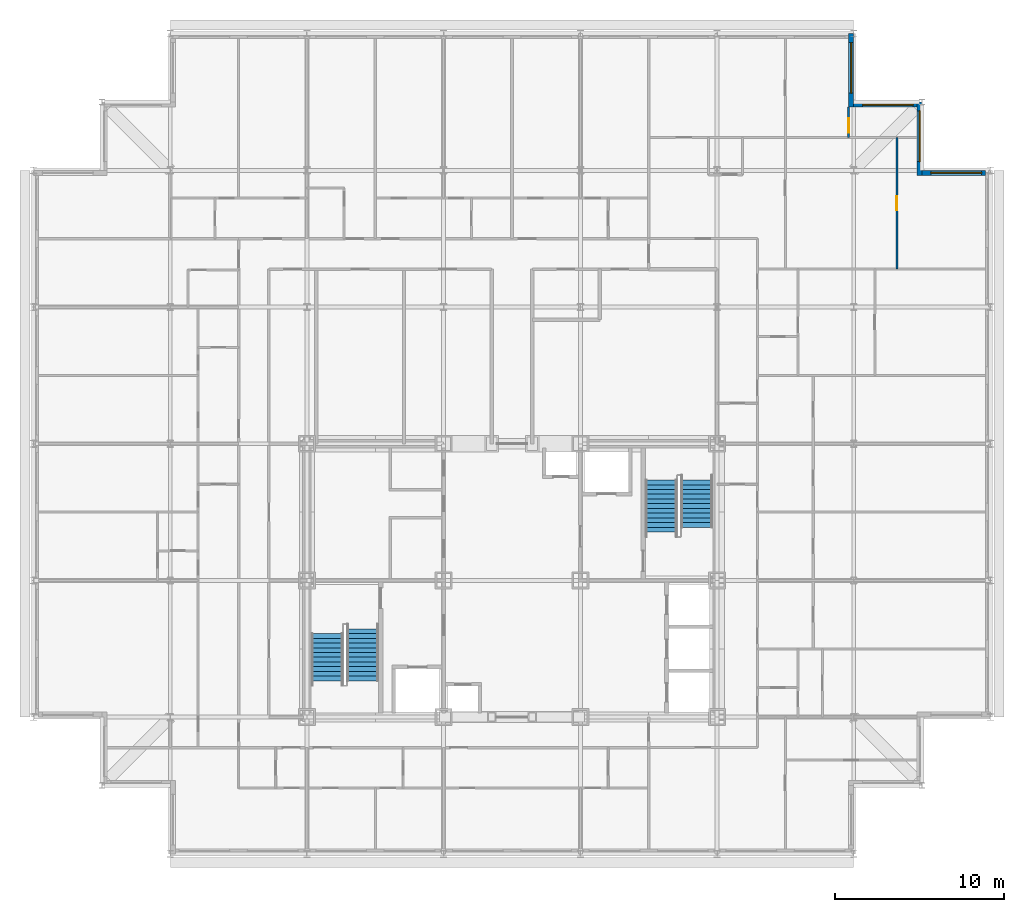
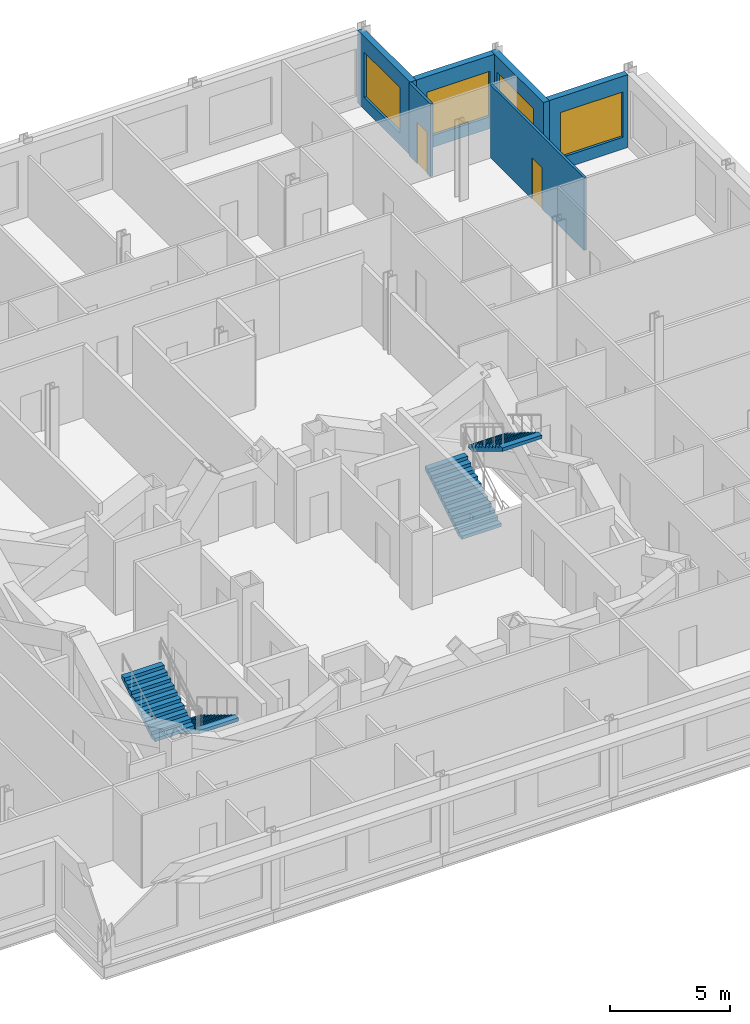
# One storey, part 14 of 15: 6 walls, 4 stair flights, 4 windows, 2 doors, 6 openings, 2 elements without a shape of their own.
"""IFC4 building model written with IfcOpenShell, lengths in metres."""

from ifc_helpers import new_model, si_unit, direction, frame, frame_2d, origin, place, context, subcontext, project, spatial, rectangle, extrude, polygons, source, transform, mapped, material, layer, layer_set, type_object, element, fill, aggregate, save


model = new_model("IFC4")

# Units and contexts
model_context = context("Model", 3, precision=1e-05, world=origin(), true_north=direction((0.0, 1.0)))
body_context = subcontext(model_context, "Body", "Model", "MODEL_VIEW")
ifc_project = project(units=[si_unit("LENGTHUNIT", "METRE"), si_unit("AREAUNIT", "SQUARE_METRE"), si_unit("VOLUMEUNIT", "CUBIC_METRE"), si_unit("PLANEANGLEUNIT", "RADIAN"), si_unit("MASSUNIT", "GRAM", prefix="KILO")], contexts=[model_context])

# Site, building, storey
site_placement = place(None, origin())
site = spatial("IfcSite", under=ifc_project, at=site_placement, CompositionType="ELEMENT")
building_placement = place(site_placement, origin())
building = spatial("IfcBuilding", under=site, at=building_placement, Name="Kopane Lantern Tower", CompositionType="ELEMENT")
storey_placement = place(building_placement, frame((0.0, 0.0, 269.699951171875)))
storey = spatial("IfcBuildingStorey", under=building, at=storey_placement, Name="L69", CompositionType="ELEMENT", Elevation=269.699951171875)

# Wall, opening, door
ifc_material_1 = material(Name="Gypsum board on steel studs", Category="steel")
ifc_layer_1 = layer(ifc_material_1, 0.1201171875)
ifc_layer_set_1 = layer_set([ifc_layer_1], Name="APARTMENT INTERNAL WALL 120")
wall_type_1 = type_object("IfcWallType", Name="APARTMENT INTERNAL WALL 120", PredefinedType="PARTITIONING", material=ifc_layer_set_1)
wall_1_placement = place(storey_placement, frame((48.300048828125, 58.64990234375, 0.0), z_axis=(0.0, 0.0, 1.0), x_axis=(0.0, 1.0, 0.0)))
wall_1 = element("IfcWall", 1, at=wall_1_placement, inside=storey, type_object=wall_type_1, Name="Apartment Internal Wall 120 L69", PredefinedType="PARTITIONING", context=body_context, shape_type="SweptSolid", body=[
    extrude(rectangle(XDim=1.800048828125, YDim=0.1201171875, at=frame_2d((0.89990234375, 0.0))), origin(), (0.0, 0.0, 1.0), 3.68994140625),
])
opening_1_placement = place(wall_1_placement, frame((0.27490234375, 0.0, 0.0)))
opening_1 = element("IfcOpeningElement", 2, at=opening_1_placement, cuts=wall_1, Name="Opening L69-065", PredefinedType="OPENING", context=body_context, shape_type="SweptSolid", body=[
    extrude(rectangle(XDim=0.85009765625, YDim=2.10009765625, at=frame_2d((0.425048828125, 1.050048828125))), frame((0.0, 0.070068359375, 0.0), z_axis=(0.0, -1.0, 0.0), x_axis=(1.0, 0.0, 0.0)), (0.0, 0.0, 1.0), 0.14013671875),
])
ifc_material_2 = material(Name="Timber door set", Category="wood")
door_type = type_object("IfcDoorType", Name="DOOR D4 850x2100", OperationType="SINGLE_SWING_LEFT", PredefinedType="DOOR", material=ifc_material_2)
door_1_placement = place(opening_1_placement, origin())
door_1 = element("IfcDoor", 3, at=door_1_placement, inside=storey, type_object=door_type, Name="Door L69-065", OperationType="SINGLE_SWING_RIGHT", OverallHeight=2.10009765625, OverallWidth=0.85009765625, PredefinedType="DOOR", context=body_context, shape_type="SweptSolid", body=[
    extrude(rectangle(XDim=0.85009765625, YDim=2.10009765625, at=frame_2d((0.425048828125, 1.050048828125))), frame((0.0, 0.02490234375, 0.0), z_axis=(0.0, -1.0, 0.0), x_axis=(1.0, 0.0, 0.0)), (0.0, 0.0, 1.0), 0.050048828125),
])
fill(opening_1, door_1)

wall_2_placement = place(storey_placement, frame((51.14990234375, 50.85009765625, 0.0), z_axis=(0.0, 0.0, 1.0), x_axis=(0.0, 1.0, 0.0)))
wall_2 = element("IfcWall", 4, at=wall_2_placement, inside=storey, type_object=wall_type_1, Name="Apartment Internal Wall 120 L69", PredefinedType="PARTITIONING", context=body_context, shape_type="SweptSolid", body=[
    extrude(rectangle(XDim=7.7998046875, YDim=0.1201171875, at=frame_2d((3.89990234375, 0.0))), origin(), (0.0, 0.0, 1.0), 3.68994140625),
])
opening_2_placement = place(wall_2_placement, frame((3.47509765625, 0.0, 0.0)))
opening_2 = element("IfcOpeningElement", 5, at=opening_2_placement, cuts=wall_2, Name="Opening L69-072", PredefinedType="OPENING", context=body_context, shape_type="SweptSolid", body=[
    extrude(rectangle(XDim=0.85009765625, YDim=2.10009765625, at=frame_2d((0.425048828125, 1.050048828125))), frame((0.0, 0.070068359375, 0.0), z_axis=(0.0, -1.0, 0.0), x_axis=(1.0, 0.0, 0.0)), (0.0, 0.0, 1.0), 0.14013671875),
])
door_2_placement = place(opening_2_placement, origin())
door_2 = element("IfcDoor", 6, at=door_2_placement, inside=storey, type_object=door_type, Name="Door L69-072", OperationType="SINGLE_SWING_RIGHT", OverallHeight=2.10009765625, OverallWidth=0.85009765625, PredefinedType="DOOR", context=body_context, shape_type="SweptSolid", body=[
    extrude(rectangle(XDim=0.85009765625, YDim=2.10009765625, at=frame_2d((0.425048828125, 1.050048828125))), frame((0.0, 0.02490234375, 0.0), z_axis=(0.0, -1.0, 0.0), x_axis=(1.0, 0.0, 0.0)), (0.0, 0.0, 1.0), 0.050048828125),
])
fill(opening_2, door_2)

# Wall, opening, window
ifc_material_3 = material(Name="Terracotta rainscreen on light steel framing", Category="masonry")
ifc_layer_2 = layer(ifc_material_3, 0.300048828125)
ifc_layer_set_2 = layer_set([ifc_layer_2], Name="EXTERNAL WALL EW1 300 TERRACOTTA")
wall_type_2 = type_object("IfcWallType", Name="EXTERNAL WALL EW1 300 TERRACOTTA", PredefinedType="SOLIDWALL", material=ifc_layer_set_2)
wall_3_placement = place(storey_placement, frame((56.39990234375, 56.550048828125, 0.0), z_axis=(0.0, 0.0, 1.0), x_axis=(-1.0, 0.0, 0.0)))
wall_3 = element("IfcWall", 7, at=wall_3_placement, inside=storey, type_object=wall_type_2, Name="External wall N L69", PredefinedType="SOLIDWALL", context=body_context, shape_type="SweptSolid", body=[
    extrude(rectangle(XDim=3.75, YDim=0.300048828125, at=frame_2d((1.875, 0.0))), origin(), (0.0, 0.0, 1.0), 3.68994140625),
])
opening_3_placement = place(wall_3_placement, frame((0.22509765625, 0.0, 0.60009765625)))
opening_3 = element("IfcOpeningElement", 8, at=opening_3_placement, cuts=wall_3, Name="Opening WR300230", PredefinedType="OPENING", context=body_context, shape_type="SweptSolid", body=[
    extrude(rectangle(XDim=3.0, YDim=2.300048828125, at=frame_2d((1.5, 1.14990234375))), frame((0.0, 0.159912109375, 0.0), z_axis=(0.0, -1.0, 0.0), x_axis=(1.0, 0.0, 0.0)), (0.0, 0.0, 1.0), 0.320068359375),
])
ifc_material_4 = material(Name="Aluminium and clear glass", Category="aluminium")
window_type = type_object("IfcWindowType", Name="RIBBON WINDOW WR300230 3000x2300", PartitioningType="SINGLE_PANEL", PredefinedType="WINDOW", material=ifc_material_4)
window_1_placement = place(opening_3_placement, origin())
window_1 = element("IfcWindow", 9, at=window_1_placement, inside=storey, type_object=window_type, Name="Window N L69", OverallHeight=2.300048828125, OverallWidth=3.0, PartitioningType="SINGLE_PANEL", PredefinedType="WINDOW", context=body_context, shape_type="SweptSolid", body=[
    extrude(rectangle(XDim=3.0, YDim=2.300048828125, at=frame_2d((1.5, 1.14990234375))), frame((0.0, 0.030029296875, 0.0), z_axis=(0.0, -1.0, 0.0), x_axis=(1.0, 0.0, 0.0)), (0.0, 0.0, 1.0), 0.06005859375),
])
fill(opening_3, window_1)

wall_4_placement = place(storey_placement, frame((52.5, 56.39990234375, 0.0), z_axis=(0.0, 0.0, 1.0), x_axis=(0.0, 1.0, 0.0)))
wall_4 = element("IfcWall", 10, at=wall_4_placement, inside=storey, type_object=wall_type_2, Name="External wall E L69", PredefinedType="SOLIDWALL", context=body_context, shape_type="SweptSolid", body=[
    extrude(rectangle(XDim=4.35009765625, YDim=0.300048828125, at=frame_2d((2.175048828125, 0.0))), origin(), (0.0, 0.0, 1.0), 3.68994140625),
])
opening_4_placement = place(wall_4_placement, frame((0.824951171875, 0.0, 0.60009765625)))
opening_4 = element("IfcOpeningElement", 11, at=opening_4_placement, cuts=wall_4, Name="Opening WR300230", PredefinedType="OPENING", context=body_context, shape_type="SweptSolid", body=[
    extrude(rectangle(XDim=3.0, YDim=2.300048828125, at=frame_2d((1.5, 1.14990234375))), frame((0.0, 0.159912109375, 0.0), z_axis=(0.0, -1.0, 0.0), x_axis=(1.0, 0.0, 0.0)), (0.0, 0.0, 1.0), 0.320068359375),
])
window_2_placement = place(opening_4_placement, origin())
window_2 = element("IfcWindow", 12, at=window_2_placement, inside=storey, type_object=window_type, Name="Window E L69", OverallHeight=2.300048828125, OverallWidth=3.0, PartitioningType="SINGLE_PANEL", PredefinedType="WINDOW", context=body_context, shape_type="SweptSolid", body=[
    extrude(rectangle(XDim=3.0, YDim=2.300048828125, at=frame_2d((1.5, 1.14990234375))), frame((0.0, 0.030029296875, 0.0), z_axis=(0.0, -1.0, 0.0), x_axis=(1.0, 0.0, 0.0)), (0.0, 0.0, 1.0), 0.06005859375),
])
fill(opening_4, window_2)

wall_5_placement = place(storey_placement, frame((52.35009765625, 60.60009765625, 0.0), z_axis=(0.0, 0.0, 1.0), x_axis=(-1.0, 0.0, 0.0)))
wall_5 = element("IfcWall", 13, at=wall_5_placement, inside=storey, type_object=wall_type_2, Name="External wall N L69", PredefinedType="SOLIDWALL", context=body_context, shape_type="SweptSolid", body=[
    extrude(rectangle(XDim=3.75, YDim=0.300048828125, at=frame_2d((1.875, 0.0))), origin(), (0.0, 0.0, 1.0), 3.68994140625),
])
opening_5_placement = place(wall_5_placement, frame((0.22509765625, 0.0, 0.60009765625)))
opening_5 = element("IfcOpeningElement", 14, at=opening_5_placement, cuts=wall_5, Name="Opening WR300230", PredefinedType="OPENING", context=body_context, shape_type="SweptSolid", body=[
    extrude(rectangle(XDim=3.0, YDim=2.300048828125, at=frame_2d((1.5, 1.14990234375))), frame((0.0, 0.159912109375, 0.0), z_axis=(0.0, -1.0, 0.0), x_axis=(1.0, 0.0, 0.0)), (0.0, 0.0, 1.0), 0.320068359375),
])
window_3_placement = place(opening_5_placement, origin())
window_3 = element("IfcWindow", 15, at=window_3_placement, inside=storey, type_object=window_type, Name="Window N L69", OverallHeight=2.300048828125, OverallWidth=3.0, PartitioningType="SINGLE_PANEL", PredefinedType="WINDOW", context=body_context, shape_type="SweptSolid", body=[
    extrude(rectangle(XDim=3.0, YDim=2.300048828125, at=frame_2d((1.5, 1.14990234375))), frame((0.0, 0.030029296875, 0.0), z_axis=(0.0, -1.0, 0.0), x_axis=(1.0, 0.0, 0.0)), (0.0, 0.0, 1.0), 0.06005859375),
])
fill(opening_5, window_3)

wall_6_placement = place(storey_placement, frame((48.449951171875, 60.449951171875, 0.0), z_axis=(0.0, 0.0, 1.0), x_axis=(0.0, 1.0, 0.0)))
wall_6 = element("IfcWall", 16, at=wall_6_placement, inside=storey, type_object=wall_type_2, Name="External wall E L69", PredefinedType="SOLIDWALL", context=body_context, shape_type="SweptSolid", body=[
    extrude(rectangle(XDim=4.35009765625, YDim=0.300048828125, at=frame_2d((2.175048828125, 0.0))), origin(), (0.0, 0.0, 1.0), 3.68994140625),
])
opening_6_placement = place(wall_6_placement, frame((0.824951171875, 0.0, 0.60009765625)))
opening_6 = element("IfcOpeningElement", 17, at=opening_6_placement, cuts=wall_6, Name="Opening WR300230", PredefinedType="OPENING", context=body_context, shape_type="SweptSolid", body=[
    extrude(rectangle(XDim=3.0, YDim=2.300048828125, at=frame_2d((1.5, 1.14990234375))), frame((0.0, 0.159912109375, 0.0), z_axis=(0.0, -1.0, 0.0), x_axis=(1.0, 0.0, 0.0)), (0.0, 0.0, 1.0), 0.320068359375),
])
window_4_placement = place(opening_6_placement, origin())
window_4 = element("IfcWindow", 18, at=window_4_placement, inside=storey, type_object=window_type, Name="Window E L69", OverallHeight=2.300048828125, OverallWidth=3.0, PartitioningType="SINGLE_PANEL", PredefinedType="WINDOW", context=body_context, shape_type="SweptSolid", body=[
    extrude(rectangle(XDim=3.0, YDim=2.300048828125, at=frame_2d((1.5, 1.14990234375))), frame((0.0, 0.030029296875, 0.0), z_axis=(0.0, -1.0, 0.0), x_axis=(1.0, 0.0, 0.0)), (0.0, 0.0, 1.0), 0.06005859375),
])
fill(opening_6, window_4)

# Stair, stair flight
ifc_material_5 = material(Name="Steel S355JR", Category="steel")
stair_type = type_object("IfcStairType", Name="EXIT STAIR 1900 HALF TURN", PredefinedType="HALF_TURN_STAIR", material=ifc_material_5)
stair_1_placement = place(storey_placement, origin())
stair_1 = element("IfcStair", 19, at=stair_1_placement, inside=storey, type_object=stair_type, Name="Exit stair ST1 L69", PredefinedType="HALF_TURN_STAIR")
ifc_material_6 = material(Name="Steel S355JR", Category="steel")
stair_flight_type = type_object("IfcStairFlightType", Name="STAIR FLIGHT 1900 STEEL", PredefinedType="STRAIGHT", material=ifc_material_6)
shared_shape_1 = source(origin(), body_context, "Body", "Tessellation", [
    polygons([(3.080078125, 0.949951172, 1.865234375), (2.800048828, 0.949951172, 1.865234375), (2.800048828, -0.949951172, 1.865234375), (3.080078125, -0.949951172, 1.865234375), (0.289306641, 0.949951172, 0.0), (3.080078125, 0.949951172, 1.689941406), (3.080078125, -0.949951172, 1.689941406), (0.289306641, -0.949951172, 0.0), (0.0, 0.949951172, 0.0), (0.0, -0.949951172, 0.0), (0.280029297, 0.949951172, 0.169677734), (0.0, 0.949951172, 0.169677734), (0.0, -0.949951172, 0.169677734), (0.280029297, -0.949951172, 0.169677734), (0.280029297, 0.949951172, 0.339111328), (0.280029297, -0.949951172, 0.339111328), (0.560058594, 0.949951172, 0.339111328), (0.560058594, -0.949951172, 0.339111328), (0.560058594, 0.949951172, 0.508789062), (0.560058594, -0.949951172, 0.508789062), (0.840087891, 0.949951172, 0.508789062), (0.840087891, -0.949951172, 0.508789062), (0.840087891, 0.949951172, 0.678222656), (0.840087891, -0.949951172, 0.678222656), (1.120117188, 0.949951172, 0.678222656), (1.120117188, -0.949951172, 0.678222656), (1.120117188, 0.949951172, 0.847900391), (1.120117188, -0.949951172, 0.847900391), (1.399902344, 0.949951172, 0.847900391), (1.399902344, -0.949951172, 0.847900391), (1.399902344, 0.949951172, 1.017333984), (1.399902344, -0.949951172, 1.017333984), (1.679931641, 0.949951172, 1.017333984), (1.679931641, -0.949951172, 1.017333984), (1.679931641, 0.949951172, 1.187011719), (1.679931641, -0.949951172, 1.187011719), (1.959960938, 0.949951172, 1.187011719), (1.959960938, -0.949951172, 1.187011719), (1.959960938, 0.949951172, 1.356445312), (1.959960938, -0.949951172, 1.356445312), (2.239990234, 0.949951172, 1.356445312), (2.239990234, -0.949951172, 1.356445312), (2.239990234, 0.949951172, 1.526123047), (2.239990234, -0.949951172, 1.526123047), (2.520019531, 0.949951172, 1.526123047), (2.520019531, -0.949951172, 1.526123047), (2.520019531, 0.949951172, 1.695556641), (2.520019531, -0.949951172, 1.695556641), (2.800048828, 0.949951172, 1.695556641), (2.800048828, -0.949951172, 1.695556641), (0.0, 0.0, 0.004585885), (0.0, 0.0, 0.009171769), (0.0, 0.0, 0.013757654), (0.0, 0.0, 0.018343539), (0.0, 0.0, 0.022929424), (0.0, 0.0, 0.027515308), (0.0, 0.0, 0.032101193), (0.0, 0.0, 0.036687078), (0.0, 0.0, 0.041272962), (0.0, 0.0, 0.045858847), (0.0, 0.0, 0.050444732), (0.0, 0.0, 0.055030617), (0.0, 0.0, 0.059616501), (0.0, 0.0, 0.064202386), (0.0, 0.0, 0.068788271), (0.0, 0.0, 0.073374155), (0.0, 0.0, 0.07796004), (0.0, 0.0, 0.082545925), (0.0, 0.0, 0.08713181), (0.0, 0.0, 0.091717694), (0.0, 0.0, 0.096303579), (0.0, 0.0, 0.100889464), (0.0, 0.0, 0.105475348), (0.0, 0.0, 0.110061233), (0.0, 0.0, 0.114647118), (0.0, 0.0, 0.119233003), (0.0, 0.0, 0.123818887), (0.0, 0.0, 0.128404772), (0.0, 0.0, 0.132990657), (0.0, 0.0, 0.137576541), (0.0, 0.0, 0.142162426), (0.0, 0.0, 0.146748311), (0.0, 0.0, 0.151334196), (0.0, 0.0, 0.15592008), (0.0, 0.0, 0.160505965), (0.0, 0.0, 0.16509185), (3.080078125, 0.0, 1.694679054), (3.080078125, 0.0, 1.699416702), (3.080078125, 0.0, 1.70415435), (3.080078125, 0.0, 1.708891997), (3.080078125, 0.0, 1.713629645), (3.080078125, 0.0, 1.718367293), (3.080078125, 0.0, 1.723104941), (3.080078125, 0.0, 1.727842589), (3.080078125, 0.0, 1.732580236), (3.080078125, 0.0, 1.737317884), (3.080078125, 0.0, 1.742055532), (3.080078125, 0.0, 1.74679318), (3.080078125, 0.0, 1.751530828), (3.080078125, 0.0, 1.756268476), (3.080078125, 0.0, 1.761006123), (3.080078125, 0.0, 1.765743771), (3.080078125, 0.0, 1.770481419), (3.080078125, 0.0, 1.775219067), (3.080078125, 0.0, 1.779956715), (3.080078125, 0.0, 1.784694362), (3.080078125, 0.0, 1.78943201), (3.080078125, 0.0, 1.794169658), (3.080078125, 0.0, 1.798907306), (3.080078125, 0.0, 1.803644954), (3.080078125, 0.0, 1.808382601), (3.080078125, 0.0, 1.813120249), (3.080078125, 0.0, 1.817857897), (3.080078125, 0.0, 1.822595545), (3.080078125, 0.0, 1.827333193), (3.080078125, 0.0, 1.83207084), (3.080078125, 0.0, 1.836808488), (3.080078125, 0.0, 1.841546136), (3.080078125, 0.0, 1.846283784), (3.080078125, 0.0, 1.851021432), (3.080078125, 0.0, 1.855759079), (3.080078125, 0.0, 1.860496727)], [[[1, 2, 3]], [[1, 3, 4]], [[5, 6, 7]], [[5, 7, 8]], [[9, 5, 8]], [[9, 8, 10]], [[11, 12, 13]], [[11, 13, 14]], [[15, 11, 14]], [[15, 14, 16]], [[17, 15, 16]], [[17, 16, 18]], [[19, 17, 18]], [[19, 18, 20]], [[21, 19, 20]], [[21, 20, 22]], [[23, 21, 22]], [[23, 22, 24]], [[25, 23, 24]], [[25, 24, 26]], [[27, 25, 26]], [[27, 26, 28]], [[29, 27, 28]], [[29, 28, 30]], [[31, 29, 30]], [[31, 30, 32]], [[33, 31, 32]], [[33, 32, 34]], [[35, 33, 34]], [[35, 34, 36]], [[37, 35, 36]], [[37, 36, 38]], [[39, 37, 38]], [[39, 38, 40]], [[41, 39, 40]], [[41, 40, 42]], [[43, 41, 42]], [[43, 42, 44]], [[45, 43, 44]], [[45, 44, 46]], [[47, 45, 46]], [[47, 46, 48]], [[49, 47, 48]], [[49, 48, 50]], [[2, 49, 50]], [[2, 50, 3]], [[49, 1, 6]], [[45, 49, 6]], [[2, 1, 49]], [[41, 45, 6]], [[47, 49, 45]], [[37, 41, 6]], [[43, 45, 41]], [[39, 41, 37]], [[35, 37, 33]], [[31, 33, 29]], [[5, 21, 25]], [[27, 29, 25]], [[17, 21, 5]], [[23, 25, 21]], [[11, 17, 5]], [[19, 21, 17]], [[9, 11, 5]], [[15, 17, 11]], [[12, 11, 9]], [[6, 5, 25]], [[6, 25, 29]], [[6, 29, 33]], [[6, 33, 37]], [[7, 4, 50]], [[7, 50, 46]], [[50, 4, 3]], [[7, 46, 42]], [[46, 50, 48]], [[7, 42, 38]], [[42, 46, 44]], [[38, 42, 40]], [[34, 38, 36]], [[30, 34, 32]], [[26, 22, 8]], [[26, 30, 28]], [[8, 22, 18]], [[22, 26, 24]], [[8, 18, 14]], [[18, 22, 20]], [[8, 14, 10]], [[14, 18, 16]], [[10, 14, 13]], [[26, 8, 7]], [[30, 26, 7]], [[34, 30, 7]], [[38, 34, 7]], [[10, 51, 9]], [[10, 52, 51]], [[9, 51, 52]], [[10, 53, 52]], [[9, 52, 53]], [[10, 54, 53]], [[9, 53, 54]], [[10, 55, 54]], [[9, 54, 55]], [[10, 56, 55]], [[9, 55, 56]], [[10, 57, 56]], [[9, 56, 57]], [[10, 58, 57]], [[9, 57, 58]], [[10, 59, 58]], [[9, 58, 59]], [[10, 60, 59]], [[9, 59, 60]], [[10, 61, 60]], [[9, 60, 61]], [[10, 62, 61]], [[9, 61, 62]], [[10, 63, 62]], [[9, 62, 63]], [[10, 64, 63]], [[9, 63, 64]], [[10, 65, 64]], [[9, 64, 65]], [[10, 66, 65]], [[9, 65, 66]], [[10, 67, 66]], [[9, 66, 67]], [[10, 68, 67]], [[9, 67, 68]], [[10, 69, 68]], [[9, 68, 69]], [[10, 70, 69]], [[9, 69, 70]], [[10, 71, 70]], [[9, 70, 71]], [[10, 72, 71]], [[9, 71, 72]], [[10, 73, 72]], [[9, 72, 73]], [[10, 74, 73]], [[9, 73, 74]], [[10, 75, 74]], [[9, 74, 75]], [[10, 76, 75]], [[9, 75, 76]], [[10, 77, 76]], [[9, 76, 77]], [[10, 78, 77]], [[9, 77, 78]], [[10, 79, 78]], [[9, 78, 79]], [[10, 80, 79]], [[9, 79, 80]], [[10, 81, 80]], [[9, 80, 81]], [[10, 82, 81]], [[9, 81, 82]], [[10, 83, 82]], [[9, 82, 83]], [[10, 84, 83]], [[9, 83, 84]], [[10, 85, 84]], [[9, 84, 85]], [[10, 86, 85]], [[9, 85, 86]], [[10, 13, 86]], [[86, 13, 12]], [[9, 86, 12]], [[7, 6, 87]], [[7, 87, 88]], [[6, 88, 87]], [[7, 88, 89]], [[6, 89, 88]], [[7, 89, 90]], [[6, 90, 89]], [[7, 90, 91]], [[6, 91, 90]], [[7, 91, 92]], [[6, 92, 91]], [[7, 92, 93]], [[6, 93, 92]], [[7, 93, 94]], [[6, 94, 93]], [[7, 94, 95]], [[6, 95, 94]], [[7, 95, 96]], [[6, 96, 95]], [[7, 96, 97]], [[6, 97, 96]], [[7, 97, 98]], [[6, 98, 97]], [[7, 98, 99]], [[6, 99, 98]], [[7, 99, 100]], [[6, 100, 99]], [[7, 100, 101]], [[6, 101, 100]], [[7, 101, 102]], [[6, 102, 101]], [[7, 102, 103]], [[6, 103, 102]], [[7, 103, 104]], [[6, 104, 103]], [[7, 104, 105]], [[6, 105, 104]], [[7, 105, 106]], [[6, 106, 105]], [[7, 106, 107]], [[6, 107, 106]], [[7, 107, 108]], [[6, 108, 107]], [[7, 108, 109]], [[6, 109, 108]], [[7, 109, 110]], [[6, 110, 109]], [[7, 110, 111]], [[6, 111, 110]], [[7, 111, 112]], [[6, 112, 111]], [[7, 112, 113]], [[6, 113, 112]], [[7, 113, 114]], [[6, 114, 113]], [[7, 114, 115]], [[6, 115, 114]], [[7, 115, 116]], [[6, 116, 115]], [[7, 116, 117]], [[6, 117, 116]], [[7, 117, 118]], [[6, 118, 117]], [[7, 118, 119]], [[6, 119, 118]], [[7, 119, 120]], [[6, 120, 119]], [[7, 120, 121]], [[6, 121, 120]], [[7, 121, 122]], [[6, 122, 121]], [[7, 122, 4]], [[122, 1, 4]], [[6, 1, 122]]], closed=True),
])
stair_flight_1_placement = place(storey_placement, frame((19.5, 29.530029296875, 0.0), z_axis=(0.0, 0.0, 1.0), x_axis=(0.0, -1.0, 0.0)))
stair_flight_1 = element("IfcStairFlight", 20, at=stair_flight_1_placement, type_object=stair_flight_type, Name="ST1 flight 1", NumberOfRisers=12, NumberOfTreads=11, PredefinedType="STRAIGHT", RiserHeight=0.169565217, TreadLength=0.28, context=body_context, shape_type="MappedRepresentation", body=[
    mapped(shared_shape_1, transform((0.0, 0.0, 0.0))),
])

stair_2_placement = place(storey_placement, origin())
stair_2 = element("IfcStair", 21, at=stair_2_placement, inside=storey, type_object=stair_type, Name="Exit stair ST2 L69", PredefinedType="HALF_TURN_STAIR")
stair_flight_2_placement = place(storey_placement, frame((37.199951171875, 35.27001953125, 0.0), z_axis=(0.0, 0.0, 1.0), x_axis=(0.0, 1.0, 0.0)))
stair_flight_2 = element("IfcStairFlight", 22, at=stair_flight_2_placement, type_object=stair_flight_type, Name="ST2 flight 1", NumberOfRisers=12, NumberOfTreads=11, PredefinedType="STRAIGHT", RiserHeight=0.169565217, TreadLength=0.28, context=body_context, shape_type="MappedRepresentation", body=[
    mapped(shared_shape_1, transform((0.0, 0.0, 0.0))),
])

# Stair flight
shared_shape_2 = source(origin(), body_context, "Body", "Tessellation", [
    polygons([(2.800048828, 0.949951172, 1.695556641), (2.520019531, 0.949951172, 1.695556641), (2.520019531, -0.949951172, 1.695556641), (2.800048828, -0.949951172, 1.695556641), (0.289306641, 0.949951172, 0.0), (2.800048828, 0.949951172, 1.520507812), (2.800048828, -0.949951172, 1.520507812), (0.289306641, -0.949951172, 0.0), (0.0, 0.949951172, 0.0), (0.0, -0.949951172, 0.0), (0.280029297, 0.949951172, 0.169677734), (0.0, 0.949951172, 0.169677734), (0.0, -0.949951172, 0.169677734), (0.280029297, -0.949951172, 0.169677734), (0.280029297, 0.949951172, 0.339111328), (0.280029297, -0.949951172, 0.339111328), (0.560058594, 0.949951172, 0.339111328), (0.560058594, -0.949951172, 0.339111328), (0.560058594, 0.949951172, 0.508789062), (0.560058594, -0.949951172, 0.508789062), (0.840087891, 0.949951172, 0.508789062), (0.840087891, -0.949951172, 0.508789062), (0.840087891, 0.949951172, 0.678222656), (0.840087891, -0.949951172, 0.678222656), (1.120117188, 0.949951172, 0.678222656), (1.120117188, -0.949951172, 0.678222656), (1.120117188, 0.949951172, 0.847900391), (1.120117188, -0.949951172, 0.847900391), (1.399902344, 0.949951172, 0.847900391), (1.399902344, -0.949951172, 0.847900391), (1.399902344, 0.949951172, 1.017333984), (1.399902344, -0.949951172, 1.017333984), (1.679931641, 0.949951172, 1.017333984), (1.679931641, -0.949951172, 1.017333984), (1.679931641, 0.949951172, 1.187011719), (1.679931641, -0.949951172, 1.187011719), (1.959960938, 0.949951172, 1.187011719), (1.959960938, -0.949951172, 1.187011719), (1.959960938, 0.949951172, 1.356445312), (1.959960938, -0.949951172, 1.356445312), (2.239990234, 0.949951172, 1.356445312), (2.239990234, -0.949951172, 1.356445312), (2.239990234, 0.949951172, 1.526123047), (2.239990234, -0.949951172, 1.526123047), (2.520019531, 0.949951172, 1.526123047), (2.520019531, -0.949951172, 1.526123047), (0.0, 0.0, 0.004585885), (0.0, 0.0, 0.009171769), (0.0, 0.0, 0.013757654), (0.0, 0.0, 0.018343539), (0.0, 0.0, 0.022929424), (0.0, 0.0, 0.027515308), (0.0, 0.0, 0.032101193), (0.0, 0.0, 0.036687078), (0.0, 0.0, 0.041272962), (0.0, 0.0, 0.045858847), (0.0, 0.0, 0.050444732), (0.0, 0.0, 0.055030617), (0.0, 0.0, 0.059616501), (0.0, 0.0, 0.064202386), (0.0, 0.0, 0.068788271), (0.0, 0.0, 0.073374155), (0.0, 0.0, 0.07796004), (0.0, 0.0, 0.082545925), (0.0, 0.0, 0.08713181), (0.0, 0.0, 0.091717694), (0.0, 0.0, 0.096303579), (0.0, 0.0, 0.100889464), (0.0, 0.0, 0.105475348), (0.0, 0.0, 0.110061233), (0.0, 0.0, 0.114647118), (0.0, 0.0, 0.119233003), (0.0, 0.0, 0.123818887), (0.0, 0.0, 0.128404772), (0.0, 0.0, 0.132990657), (0.0, 0.0, 0.137576541), (0.0, 0.0, 0.142162426), (0.0, 0.0, 0.146748311), (0.0, 0.0, 0.151334196), (0.0, 0.0, 0.15592008), (0.0, 0.0, 0.160505965), (0.0, 0.0, 0.16509185), (2.800048828, 0.0, 1.525238862), (2.800048828, 0.0, 1.529969911), (2.800048828, 0.0, 1.534700961), (2.800048828, 0.0, 1.53943201), (2.800048828, 0.0, 1.54416306), (2.800048828, 0.0, 1.548894109), (2.800048828, 0.0, 1.553625158), (2.800048828, 0.0, 1.558356208), (2.800048828, 0.0, 1.563087257), (2.800048828, 0.0, 1.567818307), (2.800048828, 0.0, 1.572549356), (2.800048828, 0.0, 1.577280405), (2.800048828, 0.0, 1.582011455), (2.800048828, 0.0, 1.586742504), (2.800048828, 0.0, 1.591473554), (2.800048828, 0.0, 1.596204603), (2.800048828, 0.0, 1.600935652), (2.800048828, 0.0, 1.605666702), (2.800048828, 0.0, 1.610397751), (2.800048828, 0.0, 1.615128801), (2.800048828, 0.0, 1.61985985), (2.800048828, 0.0, 1.624590899), (2.800048828, 0.0, 1.629321949), (2.800048828, 0.0, 1.634052998), (2.800048828, 0.0, 1.638784048), (2.800048828, 0.0, 1.643515097), (2.800048828, 0.0, 1.648246147), (2.800048828, 0.0, 1.652977196), (2.800048828, 0.0, 1.657708245), (2.800048828, 0.0, 1.662439295), (2.800048828, 0.0, 1.667170344), (2.800048828, 0.0, 1.671901394), (2.800048828, 0.0, 1.676632443), (2.800048828, 0.0, 1.681363492), (2.800048828, 0.0, 1.686094542), (2.800048828, 0.0, 1.690825591)], [[[1, 2, 3]], [[1, 3, 4]], [[5, 6, 7]], [[5, 7, 8]], [[9, 5, 8]], [[9, 8, 10]], [[11, 12, 13]], [[11, 13, 14]], [[15, 11, 14]], [[15, 14, 16]], [[17, 15, 16]], [[17, 16, 18]], [[19, 17, 18]], [[19, 18, 20]], [[21, 19, 20]], [[21, 20, 22]], [[23, 21, 22]], [[23, 22, 24]], [[25, 23, 24]], [[25, 24, 26]], [[27, 25, 26]], [[27, 26, 28]], [[29, 27, 28]], [[29, 28, 30]], [[31, 29, 30]], [[31, 30, 32]], [[33, 31, 32]], [[33, 32, 34]], [[35, 33, 34]], [[35, 34, 36]], [[37, 35, 36]], [[37, 36, 38]], [[39, 37, 38]], [[39, 38, 40]], [[41, 39, 40]], [[41, 40, 42]], [[43, 41, 42]], [[43, 42, 44]], [[45, 43, 44]], [[45, 44, 46]], [[2, 45, 46]], [[2, 46, 3]], [[45, 1, 6]], [[41, 45, 6]], [[2, 1, 45]], [[37, 41, 6]], [[43, 45, 41]], [[39, 41, 37]], [[35, 37, 33]], [[31, 33, 29]], [[5, 21, 25]], [[27, 29, 25]], [[17, 21, 5]], [[23, 25, 21]], [[11, 17, 5]], [[19, 21, 17]], [[9, 11, 5]], [[15, 17, 11]], [[12, 11, 9]], [[6, 5, 25]], [[6, 25, 29]], [[6, 29, 33]], [[6, 33, 37]], [[7, 4, 46]], [[7, 46, 42]], [[46, 4, 3]], [[7, 42, 38]], [[42, 46, 44]], [[38, 42, 40]], [[34, 38, 36]], [[30, 34, 32]], [[26, 22, 8]], [[26, 30, 28]], [[8, 22, 18]], [[22, 26, 24]], [[8, 18, 14]], [[18, 22, 20]], [[8, 14, 10]], [[14, 18, 16]], [[10, 14, 13]], [[26, 8, 7]], [[30, 26, 7]], [[34, 30, 7]], [[38, 34, 7]], [[10, 47, 9]], [[10, 48, 47]], [[9, 47, 48]], [[10, 49, 48]], [[9, 48, 49]], [[10, 50, 49]], [[9, 49, 50]], [[10, 51, 50]], [[9, 50, 51]], [[10, 52, 51]], [[9, 51, 52]], [[10, 53, 52]], [[9, 52, 53]], [[10, 54, 53]], [[9, 53, 54]], [[10, 55, 54]], [[9, 54, 55]], [[10, 56, 55]], [[9, 55, 56]], [[10, 57, 56]], [[9, 56, 57]], [[10, 58, 57]], [[9, 57, 58]], [[10, 59, 58]], [[9, 58, 59]], [[10, 60, 59]], [[9, 59, 60]], [[10, 61, 60]], [[9, 60, 61]], [[10, 62, 61]], [[9, 61, 62]], [[10, 63, 62]], [[9, 62, 63]], [[10, 64, 63]], [[9, 63, 64]], [[10, 65, 64]], [[9, 64, 65]], [[10, 66, 65]], [[9, 65, 66]], [[10, 67, 66]], [[9, 66, 67]], [[10, 68, 67]], [[9, 67, 68]], [[10, 69, 68]], [[9, 68, 69]], [[10, 70, 69]], [[9, 69, 70]], [[10, 71, 70]], [[9, 70, 71]], [[10, 72, 71]], [[9, 71, 72]], [[10, 73, 72]], [[9, 72, 73]], [[10, 74, 73]], [[9, 73, 74]], [[10, 75, 74]], [[9, 74, 75]], [[10, 76, 75]], [[9, 75, 76]], [[10, 77, 76]], [[9, 76, 77]], [[10, 78, 77]], [[9, 77, 78]], [[10, 79, 78]], [[9, 78, 79]], [[10, 80, 79]], [[9, 79, 80]], [[10, 81, 80]], [[9, 80, 81]], [[10, 82, 81]], [[9, 81, 82]], [[10, 13, 82]], [[82, 13, 12]], [[9, 82, 12]], [[7, 6, 83]], [[7, 83, 84]], [[6, 84, 83]], [[7, 84, 85]], [[6, 85, 84]], [[7, 85, 86]], [[6, 86, 85]], [[7, 86, 87]], [[6, 87, 86]], [[7, 87, 88]], [[6, 88, 87]], [[7, 88, 89]], [[6, 89, 88]], [[7, 89, 90]], [[6, 90, 89]], [[7, 90, 91]], [[6, 91, 90]], [[7, 91, 92]], [[6, 92, 91]], [[7, 92, 93]], [[6, 93, 92]], [[7, 93, 94]], [[6, 94, 93]], [[7, 94, 95]], [[6, 95, 94]], [[7, 95, 96]], [[6, 96, 95]], [[7, 96, 97]], [[6, 97, 96]], [[7, 97, 98]], [[6, 98, 97]], [[7, 98, 99]], [[6, 99, 98]], [[7, 99, 100]], [[6, 100, 99]], [[7, 100, 101]], [[6, 101, 100]], [[7, 101, 102]], [[6, 102, 101]], [[7, 102, 103]], [[6, 103, 102]], [[7, 103, 104]], [[6, 104, 103]], [[7, 104, 105]], [[6, 105, 104]], [[7, 105, 106]], [[6, 106, 105]], [[7, 106, 107]], [[6, 107, 106]], [[7, 107, 108]], [[6, 108, 107]], [[7, 108, 109]], [[6, 109, 108]], [[7, 109, 110]], [[6, 110, 109]], [[7, 110, 111]], [[6, 111, 110]], [[7, 111, 112]], [[6, 112, 111]], [[7, 112, 113]], [[6, 113, 112]], [[7, 113, 114]], [[6, 114, 113]], [[7, 114, 115]], [[6, 115, 114]], [[7, 115, 116]], [[6, 116, 115]], [[7, 116, 117]], [[6, 117, 116]], [[7, 117, 118]], [[6, 118, 117]], [[7, 118, 4]], [[118, 1, 4]], [[6, 1, 118]]], closed=True),
])
stair_flight_3_placement = place(storey_placement, frame((17.39990234375, 26.449951171875, 2.034912109375), z_axis=(0.0, 0.0, 1.0), x_axis=(0.0, 1.0, 0.0)))
stair_flight_3 = element("IfcStairFlight", 23, at=stair_flight_3_placement, type_object=stair_flight_type, Name="ST1 flight 2", NumberOfRisers=11, NumberOfTreads=10, PredefinedType="STRAIGHT", RiserHeight=0.169565217, TreadLength=0.28, context=body_context, shape_type="MappedRepresentation", body=[
    mapped(shared_shape_2, transform((0.0, 0.0, 0.0))),
])

aggregate(stair_1, [stair_flight_1, stair_flight_3])

stair_flight_4_placement = place(storey_placement, frame((39.300048828125, 38.35009765625, 2.034912109375), z_axis=(0.0, 0.0, 1.0), x_axis=(0.0, -1.0, 0.0)))
stair_flight_4 = element("IfcStairFlight", 24, at=stair_flight_4_placement, type_object=stair_flight_type, Name="ST2 flight 2", NumberOfRisers=11, NumberOfTreads=10, PredefinedType="STRAIGHT", RiserHeight=0.169565217, TreadLength=0.28, context=body_context, shape_type="MappedRepresentation", body=[
    mapped(shared_shape_2, transform((0.0, 0.0, 0.0))),
])

aggregate(stair_2, [stair_flight_2, stair_flight_4])

save(model, "model.ifc")
